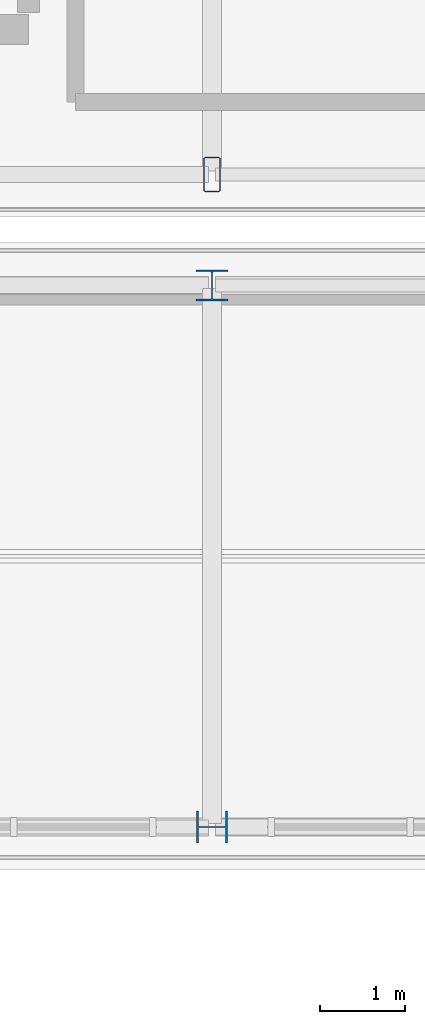
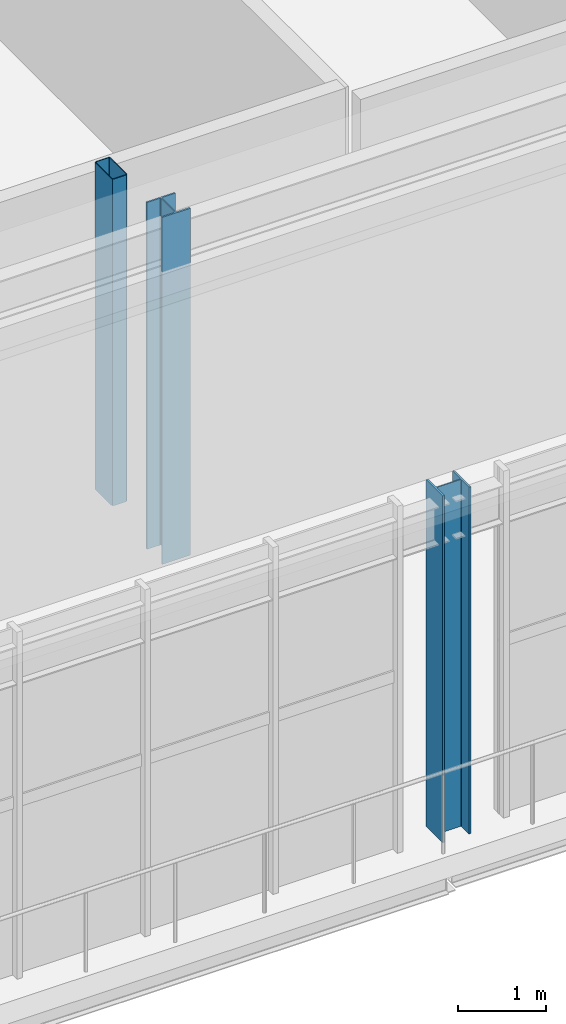
# One storey, part 5 of 93: 3 columns.
"""IFC4 building model written with IfcOpenShell, lengths in metres."""

from ifc_helpers import new_model, si_unit, direction, frame, origin, origin_2d, place, context, subcontext, project, spatial, hollow_rectangle, i_section, extrude, material, material_profile, profile_set, type_object, element, save


model = new_model("IFC4")

# Units and contexts
model_context = context("Model", 3, precision=1e-05, world=origin(), true_north=direction((0.0, 1.0)))
body_context = subcontext(model_context, "Body", "Model", "MODEL_VIEW")
ifc_project = project(units=[si_unit("LENGTHUNIT", "METRE"), si_unit("AREAUNIT", "SQUARE_METRE"), si_unit("VOLUMEUNIT", "CUBIC_METRE"), si_unit("PLANEANGLEUNIT", "RADIAN"), si_unit("MASSUNIT", "GRAM", prefix="KILO")], contexts=[model_context])

# Site, building, storey
site_placement = place(None, origin())
site = spatial("IfcSite", under=ifc_project, at=site_placement, CompositionType="ELEMENT")
building_placement = place(site_placement, origin())
building = spatial("IfcBuilding", under=site, at=building_placement, Name="Brisemont Oceanarium", CompositionType="ELEMENT")
storey_placement = place(building_placement, frame((0.0, 0.0, 5.39990234375)))
storey = spatial("IfcBuildingStorey", under=building, at=storey_placement, Name="L01", CompositionType="ELEMENT", Elevation=5.39990234375)

# Columns
ifc_material_1 = material(Name="Structural Steel ASTM A500 Gr.C", Category="steel")
ifc_material_profile_1 = material_profile(ifc_material_1, hollow_rectangle(XDim=0.202880859375, YDim=0.406005859375, WallThickness=0.01171875, InnerFilletRadius=0.01220703125, OuterFilletRadius=0.02392578125, at=origin_2d()), Name="HSS16X8X1/2")
ifc_profile_set_1 = profile_set([ifc_material_profile_1], Name="Structural Steel ASTM A500 Gr.C")
column_type_1 = type_object("IfcColumnType", Name="COL-HSS16X8", PredefinedType="COLUMN", material=ifc_profile_set_1)
column_1_placement = place(storey_placement, frame((72.0, 32.64990234375, 0.0), z_axis=(0.0, 0.0, 1.0), x_axis=(1.0, 0.0, 0.0)))
element("IfcColumn", 1, at=column_1_placement, inside=storey, type_object=column_type_1, Name="V1 L01 column (2,0)", PredefinedType="COLUMN", context=body_context, shape_type="SweptSolid", body=[
    extrude(hollow_rectangle(XDim=0.202880859375, YDim=0.406005859375, WallThickness=0.01171875, InnerFilletRadius=0.01220703125, OuterFilletRadius=0.02392578125, at=origin_2d()), origin(), (0.0, 0.0, 1.0), 4.52001953125),
])
ifc_material_2 = material(Name="Structural Steel ASTM A992 Gr.50", Category="steel")
ifc_material_profile_2 = material_profile(ifc_material_2, i_section(OverallWidth=0.37109375, OverallDepth=0.364013671875, WebThickness=0.01318359375, FlangeThickness=0.021728515625, FilletRadius=0.014892578125, at=origin_2d()), Name="W14X109")
ifc_profile_set_2 = profile_set([ifc_material_profile_2], Name="Structural Steel ASTM A992 Gr.50")
column_type_2 = type_object("IfcColumnType", Name="COL-W14X109", PredefinedType="COLUMN", material=ifc_profile_set_2)
column_2_placement = place(storey_placement, frame((72.0, 31.35009765625, 0.0), z_axis=(0.0, 0.0, 1.0), x_axis=(1.0, 0.0, 0.0)))
element("IfcColumn", 2, at=column_2_placement, inside=storey, type_object=column_type_2, Name="V1P L01 column (1,1)", PredefinedType="COLUMN", context=body_context, shape_type="SweptSolid", body=[
    extrude(i_section(OverallWidth=0.37109375, OverallDepth=0.364013671875, WebThickness=0.01318359375, FlangeThickness=0.021728515625, FilletRadius=0.014892578125, at=origin_2d()), origin(), (0.0, 0.0, 1.0), 4.800048828125),
])
ifc_material_3 = material(Name="Structural Steel ASTM A992 Gr.50", Category="steel")
ifc_material_profile_3 = material_profile(ifc_material_3, i_section(OverallWidth=0.373046875, OverallDepth=0.367919921875, WebThickness=0.014892578125, FlangeThickness=0.02392578125, FilletRadius=0.014892578125, at=origin_2d()), Name="W14X120")
ifc_profile_set_3 = profile_set([ifc_material_profile_3], Name="Structural Steel ASTM A992 Gr.50")
column_type_3 = type_object("IfcColumnType", Name="COL-W14X120", PredefinedType="COLUMN", material=ifc_profile_set_3)
column_3_placement = place(storey_placement, frame((72.0, 25.0, 0.0), z_axis=(0.0, 0.0, 1.0), x_axis=(0.0, 1.0, 0.0)))
element("IfcColumn", 3, at=column_3_placement, inside=storey, type_object=column_type_3, Name="V1P L01 column (1,0)", PredefinedType="COLUMN", context=body_context, shape_type="SweptSolid", body=[
    extrude(i_section(OverallWidth=0.373046875, OverallDepth=0.367919921875, WebThickness=0.014892578125, FlangeThickness=0.02392578125, FilletRadius=0.014892578125, at=origin_2d()), origin(), (0.0, 0.0, 1.0), 4.800048828125),
])

save(model, "model.ifc")
